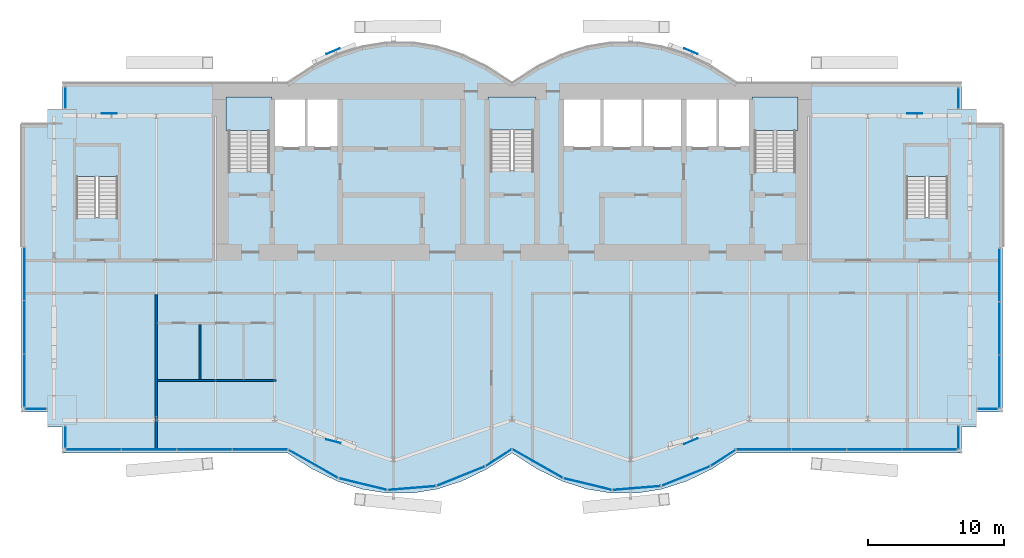
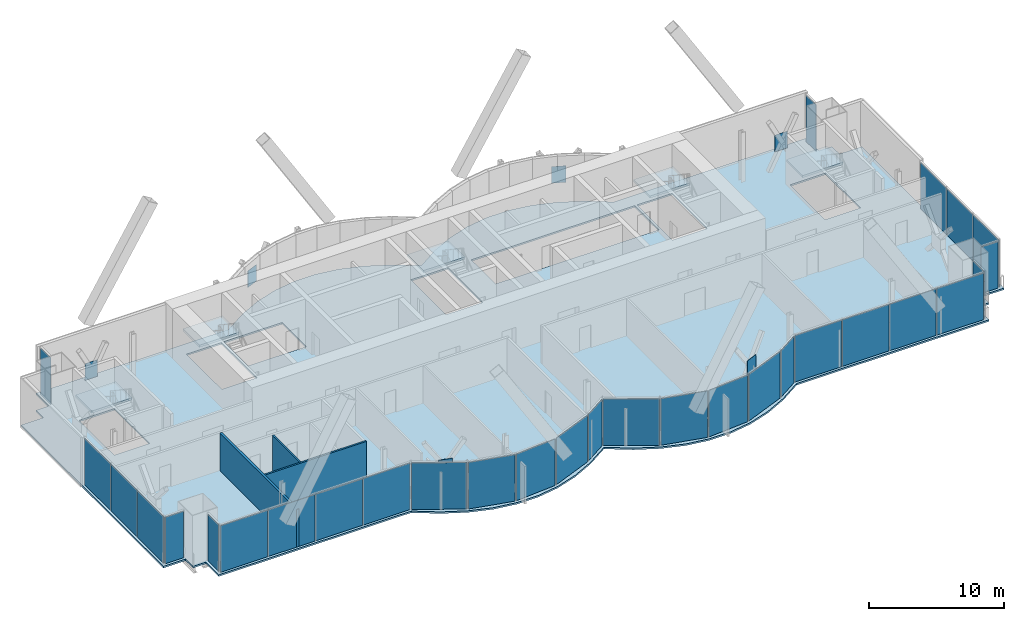
# One storey, part 12 of 19: 36 plates, 6 slabs, 3 walls, 17 elements without a shape of their own.
"""IFC4 building model written with IfcOpenShell, lengths in metres."""

from ifc_helpers import new_model, si_unit, direction, frame, frame_2d, origin, origin_2d, place, context, subcontext, project, spatial, polyline, rectangle, outline, extrude, material, layer, layer_set, type_object, element, aggregate, save


model = new_model("IFC4")

# Units and contexts
model_context = context("Model", 3, precision=1e-05, world=origin(), true_north=direction((0.0, 1.0)))
body_context = subcontext(model_context, "Body", "Model", "MODEL_VIEW")
ifc_project = project(units=[si_unit("LENGTHUNIT", "METRE"), si_unit("AREAUNIT", "SQUARE_METRE"), si_unit("VOLUMEUNIT", "CUBIC_METRE"), si_unit("PLANEANGLEUNIT", "RADIAN"), si_unit("MASSUNIT", "GRAM", prefix="KILO")], contexts=[model_context])

# Site, building, storey
site_placement = place(None, origin())
site = spatial("IfcSite", under=ifc_project, at=site_placement, CompositionType="ELEMENT")
building_placement = place(site_placement, origin())
building = spatial("IfcBuilding", under=site, at=building_placement, Name="Bicima Exchange Tower", CompositionType="ELEMENT")
storey_placement = place(building_placement, frame((0.0, 0.0, 297.5)))
storey = spatial("IfcBuildingStorey", under=building, at=storey_placement, Name="L67", CompositionType="ELEMENT", Elevation=297.5)

# Plates
ifc_material_1 = material(Name="Steel ASTM A572 Gr 50", Category="steel")
ifc_layer_1 = layer(ifc_material_1, 0.02490234375)
ifc_layer_set_1 = layer_set([ifc_layer_1], Name="Steel ASTM A572 Gr 50")
plate_type_1 = type_object("IfcPlateType", Name="Brace crossing gusset 25", PredefinedType="SHEET", material=ifc_layer_set_1)
for number, where, z_axis, x_axis, name in (
    (1, (-13.124267578125, 2.344970703125, 1.5), (0.0, 0.0, 1.0), (0.920946171144, 0.389689812356, 0.0), "Brace crossing gusset plate"),
    (2, (13.124267578125, 2.344970703125, 1.5), (0.0, 0.0, 1.0), (0.920946171144, -0.389689812356, 0.0), "Brace crossing gusset plate"),
    (3, (-13.097900390625, -26.273681640625, 1.5), (0.0, 0.0, 1.0), (0.967901583186, -0.25132951531, 0.0), "Brace crossing gusset plate"),
    (4, (13.125, -26.264404296875, 1.5), (0.0, 0.0, 1.0), (0.91935521456, 0.393428506163, 0.0), "Brace crossing gusset plate"),
    (5, (-29.550048828125, -2.209716796875, 1.5), (0.0, 0.0, 1.0), (1.0, 0.0, 0.0), "Brace crossing gusset plate"),
    (6, (29.550048828125, -2.209716796875, 1.5), (0.0, 0.0, 1.0), (1.0, 0.0, 0.0), "Brace crossing gusset plate"),
):
    element("IfcPlate", number, at=place(storey_placement, frame(where, z_axis=z_axis, x_axis=x_axis)), inside=storey, type_object=plate_type_1, Name=name, PredefinedType="SHEET", context=body_context, shape_type="SweptSolid", body=[
        extrude(rectangle(XDim=1.06689453125, YDim=0.02490234375, at=origin_2d()), origin(), (0.0, 0.0, 1.0), 1.5),
    ])

# Slab
ifc_material_2 = material(Name="Concrete C40/50", Category="concrete")
ifc_layer_2 = layer(ifc_material_2, 0.14990234375)
ifc_layer_set_2 = layer_set([ifc_layer_2], Name="Concrete C40/50")
slab_type_1 = type_object("IfcSlabType", Name="Composite floor slab 150", PredefinedType="FLOOR", material=ifc_layer_set_2)
slab_1_placement = place(storey_placement, frame((0.0, 0.0, -0.14990234375)))
element("IfcSlab", 7, at=slab_1_placement, inside=storey, type_object=slab_type_1, Name="Floor slab", PredefinedType="FLOOR", context=body_context, shape_type="SweptSolid", body=[
    extrude(outline(polyline([(-36.0, -24.115966796875), (-36.0, -3.0), (-34.10009765625, -3.0), (-34.10009765625, -1.89990234375), (-33.0, -1.89990234375), (-33.0, 0.0), (-16.5, 0.0), (-14.666748046875, 1.185302734375), (-12.833251953125, 2.07421875), (-11.0, 2.666748046875), (-9.166748046875, 2.962890625), (-7.333251953125, 2.962890625), (-5.5, 2.666748046875), (-3.666748046875, 2.07421875), (-1.833251953125, 1.185302734375), (0.0, 0.0), (1.833251953125, 1.185302734375), (3.666748046875, 2.07421875), (5.5, 2.666748046875), (7.333251953125, 2.962890625), (9.166748046875, 2.962890625), (11.0, 2.666748046875), (12.833251953125, 2.07421875), (14.666748046875, 1.185302734375), (16.5, 0.0), (33.0, 0.0), (33.0, -1.89990234375), (34.10009765625, -1.89990234375), (34.10009765625, -3.0), (36.0, -3.0), (36.0, -24.115966796875), (34.10009765625, -24.115966796875), (34.10009765625, -25.216064453125), (33.0, -25.216064453125), (33.0, -27.115966796875), (16.5, -27.115966796875), (14.666748046875, -28.30126953125), (12.833251953125, -29.190185546875), (11.0, -29.78271484375), (9.166748046875, -30.0791015625), (7.333251953125, -30.0791015625), (5.5, -29.78271484375), (3.666748046875, -29.190185546875), (1.833251953125, -28.30126953125), (0.0, -27.115966796875), (-1.833251953125, -28.30126953125), (-3.666748046875, -29.190185546875), (-5.5, -29.78271484375), (-7.333251953125, -30.0791015625), (-9.166748046875, -30.0791015625), (-11.0, -29.78271484375), (-12.833251953125, -29.190185546875), (-14.666748046875, -28.30126953125), (-16.5, -27.115966796875), (-33.0, -27.115966796875), (-33.0, -25.216064453125), (-34.10009765625, -25.216064453125), (-34.10009765625, -24.115966796875), (-36.0, -24.115966796875)]), holes=[polyline([(-28.925048828125, -9.824951171875), (-28.925048828125, -4.625), (-31.97509765625, -4.625), (-31.97509765625, -9.824951171875), (-28.925048828125, -9.824951171875)]), polyline([(-20.800048828125, -6.449951171875), (-17.800048828125, -6.449951171875), (-17.800048828125, -1.199951171875), (-20.800048828125, -1.199951171875), (-20.800048828125, -6.449951171875)]), polyline([(-1.574951171875, -6.39990234375), (1.574951171875, -6.39990234375), (1.574951171875, -1.199951171875), (-1.574951171875, -1.199951171875), (-1.574951171875, -6.39990234375)]), polyline([(-12.60009765625, -1.199951171875), (-15.10009765625, -1.199951171875), (-17.60009765625, -1.199951171875), (-17.60009765625, -4.800048828125), (-15.10009765625, -4.800048828125), (-12.60009765625, -4.800048828125), (-12.60009765625, -1.199951171875)]), polyline([(3.60009765625, -4.800048828125), (6.60009765625, -4.800048828125), (9.60009765625, -4.800048828125), (12.60009765625, -4.800048828125), (15.10009765625, -4.800048828125), (17.60009765625, -4.800048828125), (17.60009765625, -1.199951171875), (15.10009765625, -1.199951171875), (12.60009765625, -1.199951171875), (9.60009765625, -1.199951171875), (6.60009765625, -1.199951171875), (3.60009765625, -1.199951171875), (3.60009765625, -4.800048828125)]), polyline([(31.97509765625, -9.824951171875), (31.97509765625, -4.625), (28.925048828125, -4.625), (28.925048828125, -9.824951171875), (31.97509765625, -9.824951171875)]), polyline([(17.800048828125, -6.449951171875), (20.800048828125, -6.449951171875), (20.800048828125, -1.199951171875), (17.800048828125, -1.199951171875), (17.800048828125, -6.449951171875)])]), origin(), (0.0, 0.0, 1.0), 0.14990234375),
])

# Curtain wall, plates
ifc_material_3 = material(Name="Anodised bronze aluminium", Category="aluminium")
curtain_wall_type_1 = type_object("IfcCurtainWallType", Name="End face glass wall", PredefinedType="NOTDEFINED", material=ifc_material_3)
curtain_wall_1_placement = place(storey_placement, origin())
curtain_wall_1 = element("IfcCurtainWall", 8, at=curtain_wall_1_placement, inside=storey, type_object=curtain_wall_type_1, Name="End face glass wall L67 run 2", PredefinedType="NOTDEFINED")
ifc_material_4 = material(Name="Bronze tinted glass", Category="glass")
ifc_layer_3 = layer(ifc_material_4, 0.031982421875)
ifc_layer_set_3 = layer_set([ifc_layer_3], Name="Bronze tinted glass")
plate_type_2 = type_object("IfcPlateType", Name="End face glass wall glass panel 32", PredefinedType="CURTAIN_PANEL", material=ifc_layer_set_3)
plate_1_placement = place(storey_placement, frame((-35.77001953125, -13.98779296875, 0.0), z_axis=(0.0, 0.0, 1.0), x_axis=(0.0, -1.0, 0.0)))
plate_1 = element("IfcPlate", 9, at=plate_1_placement, type_object=plate_type_2, Name="End face glass wall panel 1.1", PredefinedType="CURTAIN_PANEL", context=body_context, shape_type="SweptSolid", body=[
    extrude(rectangle(XDim=3.855224609375, YDim=0.031982421875, at=origin_2d()), origin(), (0.0, 0.0, 1.0), 4.2099609375),
])
plate_2_placement = place(storey_placement, frame((-35.77001953125, -17.903076171875, 0.0), z_axis=(0.0, 0.0, 1.0), x_axis=(0.0, -1.0, 0.0)))
plate_2 = element("IfcPlate", 10, at=plate_2_placement, type_object=plate_type_2, Name="End face glass wall panel 2.1", PredefinedType="CURTAIN_PANEL", context=body_context, shape_type="SweptSolid", body=[
    extrude(rectangle(XDim=3.855224609375, YDim=0.031982421875, at=origin_2d()), origin(), (0.0, 0.0, 1.0), 4.2099609375),
])

curtain_wall_2_placement = place(storey_placement, origin())
curtain_wall_2 = element("IfcCurtainWall", 11, at=curtain_wall_2_placement, inside=storey, type_object=curtain_wall_type_1, Name="End face glass wall L67 run 19", PredefinedType="NOTDEFINED")
plate_3_placement = place(storey_placement, frame((35.77001953125, -17.98291015625, 0.0), z_axis=(0.0, 0.0, 1.0), x_axis=(0.0, 1.0, 0.0)))
plate_3 = element("IfcPlate", 12, at=plate_3_placement, type_object=plate_type_2, Name="End face glass wall panel 2.1", PredefinedType="CURTAIN_PANEL", context=body_context, shape_type="SweptSolid", body=[
    extrude(rectangle(XDim=3.855224609375, YDim=0.031982421875, at=origin_2d()), origin(), (0.0, 0.0, 1.0), 4.2099609375),
])
plate_4_placement = place(storey_placement, frame((35.77001953125, -14.067626953125, 0.0), z_axis=(0.0, 0.0, 1.0), x_axis=(0.0, 1.0, 0.0)))
plate_4 = element("IfcPlate", 13, at=plate_4_placement, type_object=plate_type_2, Name="End face glass wall panel 3.1", PredefinedType="CURTAIN_PANEL", context=body_context, shape_type="SweptSolid", body=[
    extrude(rectangle(XDim=3.855224609375, YDim=0.031982421875, at=origin_2d()), origin(), (0.0, 0.0, 1.0), 4.2099609375),
])

# Plate
ifc_material_5 = material(Name="Bronze anodised aluminium", Category="aluminium")
ifc_layer_4 = layer(ifc_material_5, 0.031982421875)
ifc_layer_set_4 = layer_set([ifc_layer_4], Name="Bronze anodised aluminium")
plate_type_3 = type_object("IfcPlateType", Name="End face glass wall spandrel panel 32", PredefinedType="CURTAIN_PANEL", material=ifc_layer_set_4)
plate_5_placement = place(storey_placement, frame((-35.77001953125, -21.818359375, 0.0), z_axis=(0.0, 0.0, 1.0), x_axis=(0.0, -1.0, 0.0)))
plate_5 = element("IfcPlate", 14, at=plate_5_placement, type_object=plate_type_3, Name="End face spandrel wall panel 3.1", PredefinedType="CURTAIN_PANEL", context=body_context, shape_type="SweptSolid", body=[
    extrude(rectangle(XDim=3.855224609375, YDim=0.031982421875, at=origin_2d()), origin(), (0.0, 0.0, 1.0), 4.2099609375),
])

aggregate(curtain_wall_1, [plate_1, plate_2, plate_5])

plate_6_placement = place(storey_placement, frame((35.77001953125, -21.898193359375, 0.0), z_axis=(0.0, 0.0, 1.0), x_axis=(0.0, 1.0, 0.0)))
plate_6 = element("IfcPlate", 15, at=plate_6_placement, type_object=plate_type_3, Name="End face spandrel wall panel 1.1", PredefinedType="CURTAIN_PANEL", context=body_context, shape_type="SweptSolid", body=[
    extrude(rectangle(XDim=3.855224609375, YDim=0.031982421875, at=origin_2d()), origin(), (0.0, 0.0, 1.0), 4.2099609375),
])

aggregate(curtain_wall_2, [plate_6, plate_3, plate_4])

# Curtain wall, plate
curtain_wall_type_2 = type_object("IfcCurtainWallType", Name="Front glass wall", PredefinedType="NOTDEFINED", material=ifc_material_3)
curtain_wall_3_placement = place(storey_placement, origin())
curtain_wall_3 = element("IfcCurtainWall", 16, at=curtain_wall_3_placement, inside=storey, type_object=curtain_wall_type_2, Name="Front glass wall L67 run 1", PredefinedType="NOTDEFINED")
ifc_layer_5 = layer(ifc_material_4, 0.031982421875)
ifc_layer_set_5 = layer_set([ifc_layer_5], Name="Bronze tinted glass")
plate_type_4 = type_object("IfcPlateType", Name="Front glass wall glass panel 32", PredefinedType="CURTAIN_PANEL", material=ifc_layer_set_5)
plate_7_placement = place(storey_placement, frame((-32.77001953125, -1.06494140625, 0.0), z_axis=(0.0, 0.0, 1.0), x_axis=(0.0, -1.0, 0.0)))
plate_7 = element("IfcPlate", 17, at=plate_7_placement, type_object=plate_type_4, Name="Front glass wall panel 1.1", PredefinedType="CURTAIN_PANEL", context=body_context, shape_type="SweptSolid", body=[
    extrude(rectangle(XDim=1.550048828125, YDim=0.031982421875, at=origin_2d()), origin(), (0.0, 0.0, 1.0), 4.2099609375),
])
aggregate(curtain_wall_3, [plate_7])

curtain_wall_4_placement = place(storey_placement, origin())
curtain_wall_4 = element("IfcCurtainWall", 18, at=curtain_wall_4_placement, inside=storey, type_object=curtain_wall_type_2, Name="Front glass wall L67 run 3", PredefinedType="NOTDEFINED")
plate_8_placement = place(storey_placement, frame((-34.93505859375, -23.885986328125, 0.0), z_axis=(0.0, 0.0, 1.0), x_axis=(1.0, 0.0, 0.0)))
plate_8 = element("IfcPlate", 19, at=plate_8_placement, type_object=plate_type_4, Name="Front glass wall panel 1.1", PredefinedType="CURTAIN_PANEL", context=body_context, shape_type="SweptSolid", body=[
    extrude(rectangle(XDim=1.550048828125, YDim=0.031982421875, at=origin_2d()), origin(), (0.0, 0.0, 1.0), 4.2099609375),
])
aggregate(curtain_wall_4, [plate_8])

curtain_wall_5_placement = place(storey_placement, origin())
curtain_wall_5 = element("IfcCurtainWall", 20, at=curtain_wall_5_placement, inside=storey, type_object=curtain_wall_type_2, Name="Front glass wall L67 run 4", PredefinedType="NOTDEFINED")
plate_9_placement = place(storey_placement, frame((-32.77001953125, -25.949951171875, 0.0), z_axis=(0.0, 0.0, 1.0), x_axis=(0.0, -1.0, 0.0)))
plate_9 = element("IfcPlate", 21, at=plate_9_placement, type_object=plate_type_4, Name="Front glass wall panel 1.1", PredefinedType="CURTAIN_PANEL", context=body_context, shape_type="SweptSolid", body=[
    extrude(rectangle(XDim=1.592041015625, YDim=0.031982421875, at=origin_2d()), origin(), (0.0, 0.0, 1.0), 4.2099609375),
])
aggregate(curtain_wall_5, [plate_9])

# Curtain wall, plates
curtain_wall_6_placement = place(storey_placement, origin())
curtain_wall_6 = element("IfcCurtainWall", 22, at=curtain_wall_6_placement, inside=storey, type_object=curtain_wall_type_2, Name="Front glass wall L67 run 5", PredefinedType="NOTDEFINED")
plate_10_placement = place(storey_placement, frame((-22.56640625, -26.885986328125, 0.0), z_axis=(0.0, 0.0, 1.0), x_axis=(1.0, 0.0, 0.0)))
plate_10 = element("IfcPlate", 23, at=plate_10_placement, type_object=plate_type_4, Name="Front glass wall panel 3.1", PredefinedType="CURTAIN_PANEL", context=body_context, shape_type="SweptSolid", body=[
    extrude(rectangle(XDim=4.009521484375, YDim=0.031982421875, at=origin_2d()), origin(), (0.0, 0.0, 1.0), 4.2099609375),
])
plate_11_placement = place(storey_placement, frame((-18.496826171875, -26.885986328125, 0.0), z_axis=(0.0, 0.0, 1.0), x_axis=(1.0, 0.0, 0.0)))
plate_11 = element("IfcPlate", 24, at=plate_11_placement, type_object=plate_type_4, Name="Front glass wall panel 4.1", PredefinedType="CURTAIN_PANEL", context=body_context, shape_type="SweptSolid", body=[
    extrude(rectangle(XDim=4.009521484375, YDim=0.031982421875, at=origin_2d()), origin(), (0.0, 0.0, 1.0), 4.2099609375),
])

curtain_wall_7_placement = place(storey_placement, origin())
curtain_wall_7 = element("IfcCurtainWall", 25, at=curtain_wall_7_placement, inside=storey, type_object=curtain_wall_type_2, Name="Front glass wall L67 run 6", PredefinedType="NOTDEFINED")
plate_12_placement = place(storey_placement, frame((-14.589599609375, -27.93115234375, 0.0), z_axis=(0.0, 0.0, 1.0), x_axis=(0.869805110681, -0.493395449343, 0.0)))
plate_12 = element("IfcPlate", 26, at=plate_12_placement, type_object=plate_type_4, Name="Front glass wall panel 1.1", PredefinedType="CURTAIN_PANEL", context=body_context, shape_type="SweptSolid", body=[
    extrude(rectangle(XDim=4.1162109375, YDim=0.031982421875, at=origin_2d()), origin(), (0.0, 0.0, 1.0), 4.2099609375),
])
plate_13_placement = place(storey_placement, frame((-10.94775390625, -29.41259765625, 0.0), z_axis=(0.0, 0.0, 1.0), x_axis=(0.971830343553, -0.235681529503, 0.0)))
plate_13 = element("IfcPlate", 27, at=plate_13_placement, type_object=plate_type_4, Name="Front glass wall panel 1.1", PredefinedType="CURTAIN_PANEL", context=body_context, shape_type="SweptSolid", body=[
    extrude(rectangle(XDim=3.583251953125, YDim=0.031982421875, at=origin_2d()), origin(), (0.0, 0.0, 1.0), 4.2099609375),
])
plate_14_placement = place(storey_placement, frame((-0.97314453125, -27.47119140625, 0.0), z_axis=(0.0, 0.0, 1.0), x_axis=(0.839798994301, 0.542897457326, 0.0)))
plate_14 = element("IfcPlate", 28, at=plate_14_placement, type_object=plate_type_4, Name="Front glass wall panel 1.1", PredefinedType="CURTAIN_PANEL", context=body_context, shape_type="SweptSolid", body=[
    extrude(rectangle(XDim=2.197509765625, YDim=0.031982421875, at=origin_2d()), origin(), (0.0, 0.0, 1.0), 4.2099609375),
])

curtain_wall_8_placement = place(storey_placement, origin())
curtain_wall_8 = element("IfcCurtainWall", 29, at=curtain_wall_8_placement, inside=storey, type_object=curtain_wall_type_2, Name="Front glass wall L67 run 11", PredefinedType="NOTDEFINED")
plate_15_placement = place(storey_placement, frame((1.876220703125, -27.9091796875, 0.0), z_axis=(0.0, 0.0, 1.0), x_axis=(0.869274147378, -0.494330311331, 0.0)))
plate_15 = element("IfcPlate", 30, at=plate_15_placement, type_object=plate_type_4, Name="Front glass wall panel 1.1", PredefinedType="CURTAIN_PANEL", context=body_context, shape_type="SweptSolid", body=[
    extrude(rectangle(XDim=4.197021484375, YDim=0.031982421875, at=origin_2d()), origin(), (0.0, 0.0, 1.0), 4.2099609375),
])
plate_16_placement = place(storey_placement, frame((9.14892578125, -29.70361328125, 0.0), z_axis=(0.0, 0.0, 1.0), x_axis=(0.99674744821, 0.080588612633, 0.0)))
plate_16 = element("IfcPlate", 31, at=plate_16_placement, type_object=plate_type_4, Name="Front glass wall panel 1.1", PredefinedType="CURTAIN_PANEL", context=body_context, shape_type="SweptSolid", body=[
    extrude(rectangle(XDim=3.486083984375, YDim=0.031982421875, at=origin_2d()), origin(), (0.0, 0.0, 1.0), 4.2099609375),
])
plate_17_placement = place(storey_placement, frame((12.749755859375, -28.829345703125, 0.0), z_axis=(0.0, 0.0, 1.0), x_axis=(0.92714396679, 0.374705304, 0.0)))
plate_17 = element("IfcPlate", 32, at=plate_17_placement, type_object=plate_type_4, Name="Front glass wall panel 1.1", PredefinedType="CURTAIN_PANEL", context=body_context, shape_type="SweptSolid", body=[
    extrude(rectangle(XDim=3.771240234375, YDim=0.031982421875, at=origin_2d()), origin(), (0.0, 0.0, 1.0), 4.2099609375),
])
plate_18_placement = place(storey_placement, frame((15.492919921875, -27.4931640625, 0.0), z_axis=(0.0, 0.0, 1.0), x_axis=(0.839791413941, 0.542909183079, 0.0)))
plate_18 = element("IfcPlate", 33, at=plate_18_placement, type_object=plate_type_4, Name="Front glass wall panel 1.1", PredefinedType="CURTAIN_PANEL", context=body_context, shape_type="SweptSolid", body=[
    extrude(rectangle(XDim=2.11669921875, YDim=0.031982421875, at=origin_2d()), origin(), (0.0, 0.0, 1.0), 4.2099609375),
])

curtain_wall_9_placement = place(storey_placement, origin())
curtain_wall_9 = element("IfcCurtainWall", 34, at=curtain_wall_9_placement, inside=storey, type_object=curtain_wall_type_2, Name="Front glass wall L67 run 16", PredefinedType="NOTDEFINED")
plate_19_placement = place(storey_placement, frame((18.48681640625, -26.885986328125, 0.0), z_axis=(0.0, 0.0, 1.0), x_axis=(1.0, 0.0, 0.0)))
plate_19 = element("IfcPlate", 35, at=plate_19_placement, type_object=plate_type_4, Name="Front glass wall panel 1.1", PredefinedType="CURTAIN_PANEL", context=body_context, shape_type="SweptSolid", body=[
    extrude(rectangle(XDim=3.989501953125, YDim=0.031982421875, at=origin_2d()), origin(), (0.0, 0.0, 1.0), 4.2099609375),
])
plate_20_placement = place(storey_placement, frame((22.536376953125, -26.885986328125, 0.0), z_axis=(0.0, 0.0, 1.0), x_axis=(1.0, 0.0, 0.0)))
plate_20 = element("IfcPlate", 36, at=plate_20_placement, type_object=plate_type_4, Name="Front glass wall panel 2.1", PredefinedType="CURTAIN_PANEL", context=body_context, shape_type="SweptSolid", body=[
    extrude(rectangle(XDim=3.989501953125, YDim=0.031982421875, at=origin_2d()), origin(), (0.0, 0.0, 1.0), 4.2099609375),
])

# Curtain wall, plate
curtain_wall_10_placement = place(storey_placement, origin())
curtain_wall_10 = element("IfcCurtainWall", 37, at=curtain_wall_10_placement, inside=storey, type_object=curtain_wall_type_2, Name="Front glass wall L67 run 17", PredefinedType="NOTDEFINED")
plate_21_placement = place(storey_placement, frame((32.77001953125, -25.989990234375, 0.0), z_axis=(0.0, 0.0, 1.0), x_axis=(0.0, 1.0, 0.0)))
plate_21 = element("IfcPlate", 38, at=plate_21_placement, type_object=plate_type_4, Name="Front glass wall panel 1.1", PredefinedType="CURTAIN_PANEL", context=body_context, shape_type="SweptSolid", body=[
    extrude(rectangle(XDim=1.672119140625, YDim=0.031982421875, at=origin_2d()), origin(), (0.0, 0.0, 1.0), 4.2099609375),
])
aggregate(curtain_wall_10, [plate_21])

curtain_wall_11_placement = place(storey_placement, origin())
curtain_wall_11 = element("IfcCurtainWall", 39, at=curtain_wall_11_placement, inside=storey, type_object=curtain_wall_type_2, Name="Front glass wall L67 run 18", PredefinedType="NOTDEFINED")
plate_22_placement = place(storey_placement, frame((34.89501953125, -23.885986328125, 0.0), z_axis=(0.0, 0.0, 1.0), x_axis=(1.0, 0.0, 0.0)))
plate_22 = element("IfcPlate", 40, at=plate_22_placement, type_object=plate_type_4, Name="Front glass wall panel 1.1", PredefinedType="CURTAIN_PANEL", context=body_context, shape_type="SweptSolid", body=[
    extrude(rectangle(XDim=1.469970703125, YDim=0.031982421875, at=origin_2d()), origin(), (0.0, 0.0, 1.0), 4.2099609375),
])
aggregate(curtain_wall_11, [plate_22])

curtain_wall_12_placement = place(storey_placement, origin())
curtain_wall_12 = element("IfcCurtainWall", 41, at=curtain_wall_12_placement, inside=storey, type_object=curtain_wall_type_2, Name="Front glass wall L67 run 20", PredefinedType="NOTDEFINED")
plate_23_placement = place(storey_placement, frame((32.77001953125, -1.10498046875, 0.0), z_axis=(0.0, 0.0, 1.0), x_axis=(0.0, 1.0, 0.0)))
plate_23 = element("IfcPlate", 42, at=plate_23_placement, type_object=plate_type_4, Name="Front glass wall panel 1.1", PredefinedType="CURTAIN_PANEL", context=body_context, shape_type="SweptSolid", body=[
    extrude(rectangle(XDim=1.469970703125, YDim=0.031982421875, at=origin_2d()), origin(), (0.0, 0.0, 1.0), 4.2099609375),
])
aggregate(curtain_wall_12, [plate_23])

# Plate
ifc_layer_6 = layer(ifc_material_5, 0.031982421875)
ifc_layer_set_6 = layer_set([ifc_layer_6], Name="Bronze anodised aluminium")
plate_type_5 = type_object("IfcPlateType", Name="Front glass wall spandrel panel 32", PredefinedType="CURTAIN_PANEL", material=ifc_layer_set_6)
plate_24_placement = place(storey_placement, frame((-30.705322265625, -26.885986328125, 0.0), z_axis=(0.0, 0.0, 1.0), x_axis=(1.0, 0.0, 0.0)))
plate_24 = element("IfcPlate", 43, at=plate_24_placement, type_object=plate_type_5, Name="Front spandrel wall panel 1.1", PredefinedType="CURTAIN_PANEL", context=body_context, shape_type="SweptSolid", body=[
    extrude(rectangle(XDim=4.009521484375, YDim=0.031982421875, at=origin_2d()), origin(), (0.0, 0.0, 1.0), 4.2099609375),
])

plate_25_placement = place(storey_placement, frame((-26.6357421875, -26.885986328125, 0.0), z_axis=(0.0, 0.0, 1.0), x_axis=(1.0, 0.0, 0.0)))
plate_25 = element("IfcPlate", 44, at=plate_25_placement, type_object=plate_type_5, Name="Front spandrel wall panel 2.1", PredefinedType="CURTAIN_PANEL", context=body_context, shape_type="SweptSolid", body=[
    extrude(rectangle(XDim=4.009521484375, YDim=0.031982421875, at=origin_2d()), origin(), (0.0, 0.0, 1.0), 4.2099609375),
])

aggregate(curtain_wall_6, [plate_24, plate_25, plate_10, plate_11])

plate_26_placement = place(storey_placement, frame((-7.35107421875, -29.70361328125, 0.0), z_axis=(0.0, 0.0, 1.0), x_axis=(0.99674744821, 0.080588612633, 0.0)))
plate_26 = element("IfcPlate", 45, at=plate_26_placement, type_object=plate_type_5, Name="Front spandrel wall panel 1.1", PredefinedType="CURTAIN_PANEL", context=body_context, shape_type="SweptSolid", body=[
    extrude(rectangle(XDim=3.486083984375, YDim=0.031982421875, at=origin_2d()), origin(), (0.0, 0.0, 1.0), 4.2099609375),
])

plate_27_placement = place(storey_placement, frame((-3.750244140625, -28.829345703125, 0.0), z_axis=(0.0, 0.0, 1.0), x_axis=(0.92714396679, 0.374705304, 0.0)))
plate_27 = element("IfcPlate", 46, at=plate_27_placement, type_object=plate_type_5, Name="Front spandrel wall panel 1.1", PredefinedType="CURTAIN_PANEL", context=body_context, shape_type="SweptSolid", body=[
    extrude(rectangle(XDim=3.771240234375, YDim=0.031982421875, at=origin_2d()), origin(), (0.0, 0.0, 1.0), 4.2099609375),
])

aggregate(curtain_wall_7, [plate_12, plate_13, plate_26, plate_27, plate_14])

plate_28_placement = place(storey_placement, frame((5.55224609375, -29.41259765625, 0.0), z_axis=(0.0, 0.0, 1.0), x_axis=(0.971830343553, -0.235681529503, 0.0)))
plate_28 = element("IfcPlate", 47, at=plate_28_placement, type_object=plate_type_5, Name="Front spandrel wall panel 1.1", PredefinedType="CURTAIN_PANEL", context=body_context, shape_type="SweptSolid", body=[
    extrude(rectangle(XDim=3.583251953125, YDim=0.031982421875, at=origin_2d()), origin(), (0.0, 0.0, 1.0), 4.2099609375),
])

aggregate(curtain_wall_8, [plate_15, plate_28, plate_16, plate_17, plate_18])

plate_29_placement = place(storey_placement, frame((26.585693359375, -26.885986328125, 0.0), z_axis=(0.0, 0.0, 1.0), x_axis=(1.0, 0.0, 0.0)))
plate_29 = element("IfcPlate", 48, at=plate_29_placement, type_object=plate_type_5, Name="Front spandrel wall panel 3.1", PredefinedType="CURTAIN_PANEL", context=body_context, shape_type="SweptSolid", body=[
    extrude(rectangle(XDim=3.989501953125, YDim=0.031982421875, at=origin_2d()), origin(), (0.0, 0.0, 1.0), 4.2099609375),
])

plate_30_placement = place(storey_placement, frame((30.63525390625, -26.885986328125, 0.0), z_axis=(0.0, 0.0, 1.0), x_axis=(1.0, 0.0, 0.0)))
plate_30 = element("IfcPlate", 49, at=plate_30_placement, type_object=plate_type_5, Name="Front spandrel wall panel 4.1", PredefinedType="CURTAIN_PANEL", context=body_context, shape_type="SweptSolid", body=[
    extrude(rectangle(XDim=3.989501953125, YDim=0.031982421875, at=origin_2d()), origin(), (0.0, 0.0, 1.0), 4.2099609375),
])

aggregate(curtain_wall_9, [plate_19, plate_20, plate_29, plate_30])

# Stair, slab
ifc_material_6 = material(Name="Concrete C50/60", Category="concrete")
stair_type_1 = type_object("IfcStairType", Name="Exit stair", PredefinedType="HALF_TURN_STAIR", material=ifc_material_6)
stair_1_placement = place(storey_placement, origin())
stair_1 = element("IfcStair", 50, at=stair_1_placement, inside=storey, type_object=stair_type_1, Name="L67 West exit stair", PredefinedType="HALF_TURN_STAIR")
ifc_layer_7 = layer(ifc_material_6, 0.199951171875)
ifc_layer_set_7 = layer_set([ifc_layer_7], Name="Concrete C50/60")
slab_type_2 = type_object("IfcSlabType", Name="Stair landing slab", PredefinedType="LANDING", material=ifc_layer_set_7)
slab_2_placement = place(storey_placement, frame((0.0, 0.0, 2.050048828125)))
slab_2 = element("IfcSlab", 51, at=slab_2_placement, type_object=slab_type_2, Name="ST-W landing 1", PredefinedType="LANDING", context=body_context, shape_type="SweptSolid", body=[
    extrude(outline(polyline([(-17.60009765625, -3.469970703125), (-17.60009765625, -1.0), (-21.0, -1.0), (-21.0, -3.469970703125), (-17.60009765625, -3.469970703125)])), origin(), (0.0, 0.0, 1.0), 0.199951171875),
])
aggregate(stair_1, [slab_2])

stair_type_2 = type_object("IfcStairType", Name="Exit stair 1500", PredefinedType="HALF_TURN_STAIR", material=ifc_material_6)
stair_2_placement = place(storey_placement, origin())
stair_2 = element("IfcStair", 52, at=stair_2_placement, inside=storey, type_object=stair_type_2, Name="L67 Central exit stair", PredefinedType="HALF_TURN_STAIR")
slab_3_placement = place(storey_placement, frame((0.0, 0.0, 2.050048828125)))
slab_3 = element("IfcSlab", 53, at=slab_3_placement, type_object=slab_type_2, Name="ST-C landing 1", PredefinedType="LANDING", context=body_context, shape_type="SweptSolid", body=[
    extrude(outline(polyline([(1.77490234375, -3.419921875), (1.77490234375, -1.0), (-1.77490234375, -1.0), (-1.77490234375, -3.419921875), (1.77490234375, -3.419921875)])), origin(), (0.0, 0.0, 1.0), 0.199951171875),
])
aggregate(stair_2, [slab_3])

stair_3_placement = place(storey_placement, origin())
stair_3 = element("IfcStair", 54, at=stair_3_placement, inside=storey, type_object=stair_type_1, Name="L67 East exit stair", PredefinedType="HALF_TURN_STAIR")
slab_4_placement = place(storey_placement, frame((0.0, 0.0, 2.050048828125)))
slab_4 = element("IfcSlab", 55, at=slab_4_placement, type_object=slab_type_2, Name="ST-E landing 1", PredefinedType="LANDING", context=body_context, shape_type="SweptSolid", body=[
    extrude(outline(polyline([(21.0, -3.469970703125), (21.0, -1.0), (17.60009765625, -1.0), (17.60009765625, -3.469970703125), (21.0, -3.469970703125)])), origin(), (0.0, 0.0, 1.0), 0.199951171875),
])
aggregate(stair_3, [slab_4])

stair_4_placement = place(storey_placement, origin())
stair_4 = element("IfcStair", 56, at=stair_4_placement, inside=storey, type_object=stair_type_1, Name="L67 West end exit stair", PredefinedType="HALF_TURN_STAIR")
slab_5_placement = place(storey_placement, frame((0.0, 0.0, 2.050048828125)))
slab_5 = element("IfcSlab", 57, at=slab_5_placement, type_object=slab_type_2, Name="ST-WW landing 1", PredefinedType="LANDING", context=body_context, shape_type="SweptSolid", body=[
    extrude(outline(polyline([(-28.72509765625, -6.844970703125), (-28.72509765625, -4.425048828125), (-32.175048828125, -4.425048828125), (-32.175048828125, -6.844970703125), (-28.72509765625, -6.844970703125)])), origin(), (0.0, 0.0, 1.0), 0.199951171875),
])
aggregate(stair_4, [slab_5])

stair_5_placement = place(storey_placement, origin())
stair_5 = element("IfcStair", 58, at=stair_5_placement, inside=storey, type_object=stair_type_1, Name="L67 East end exit stair", PredefinedType="HALF_TURN_STAIR")
slab_6_placement = place(storey_placement, frame((0.0, 0.0, 2.050048828125)))
slab_6 = element("IfcSlab", 59, at=slab_6_placement, type_object=slab_type_2, Name="ST-EE landing 1", PredefinedType="LANDING", context=body_context, shape_type="SweptSolid", body=[
    extrude(outline(polyline([(32.175048828125, -6.844970703125), (32.175048828125, -4.425048828125), (28.72509765625, -4.425048828125), (28.72509765625, -6.844970703125), (32.175048828125, -6.844970703125)])), origin(), (0.0, 0.0, 1.0), 0.199951171875),
])
aggregate(stair_5, [slab_6])

# Walls
ifc_material_7 = material(Name="Gypsum board partition")
ifc_layer_8 = layer(ifc_material_7, 0.199951171875)
ifc_layer_set_8 = layer_set([ifc_layer_8], Name="Gypsum board partition")
wall_type_1 = type_object("IfcWallType", Name="Fire-rated gypsum partition 200 EI60", PredefinedType="PARTITIONING", material=ifc_layer_set_8)
wall_1_placement = place(storey_placement, frame((-26.10009765625, -26.909912109375, 0.0), z_axis=(0.0, 0.0, 1.0), x_axis=(0.0, 1.0, 0.0)))
element("IfcWall", 60, at=wall_1_placement, inside=storey, type_object=wall_type_1, Name="partition wall 13", PredefinedType="PARTITIONING", context=body_context, shape_type="SweptSolid", body=[
    extrude(rectangle(XDim=11.409912109375, YDim=0.199951171875, at=frame_2d((5.705078125, 0.0))), origin(), (0.0, 0.0, 1.0), 3.418212890625),
])
ifc_layer_9 = layer(ifc_material_7, 0.14990234375)
ifc_layer_set_9 = layer_set([ifc_layer_9], Name="Gypsum board partition")
wall_type_2 = type_object("IfcWallType", Name="Gypsum partition 150", PredefinedType="PARTITIONING", material=ifc_layer_set_9)
wall_2_placement = place(storey_placement, frame((-26.0, -21.800048828125, 0.0), z_axis=(0.0, 0.0, 1.0), x_axis=(1.0, 0.0, 0.0)))
element("IfcWall", 61, at=wall_2_placement, inside=storey, type_object=wall_type_2, Name="partition wall 1", PredefinedType="PARTITIONING", context=body_context, shape_type="SweptSolid", body=[
    extrude(rectangle(XDim=8.699951171875, YDim=0.14990234375, at=frame_2d((4.35009765625, 0.0))), origin(), (0.0, 0.0, 1.0), 3.418212890625),
])
wall_3_placement = place(storey_placement, frame((-22.89990234375, -21.72509765625, 0.0), z_axis=(0.0, 0.0, 1.0), x_axis=(0.0, 1.0, 0.0)))
element("IfcWall", 62, at=wall_3_placement, inside=storey, type_object=wall_type_2, Name="partition wall 14", PredefinedType="PARTITIONING", context=body_context, shape_type="SweptSolid", body=[
    extrude(rectangle(XDim=4.025146484375, YDim=0.14990234375, at=frame_2d((2.0126953125, 0.0))), origin(), (0.0, 0.0, 1.0), 3.418212890625),
])

save(model, "model.ifc")
